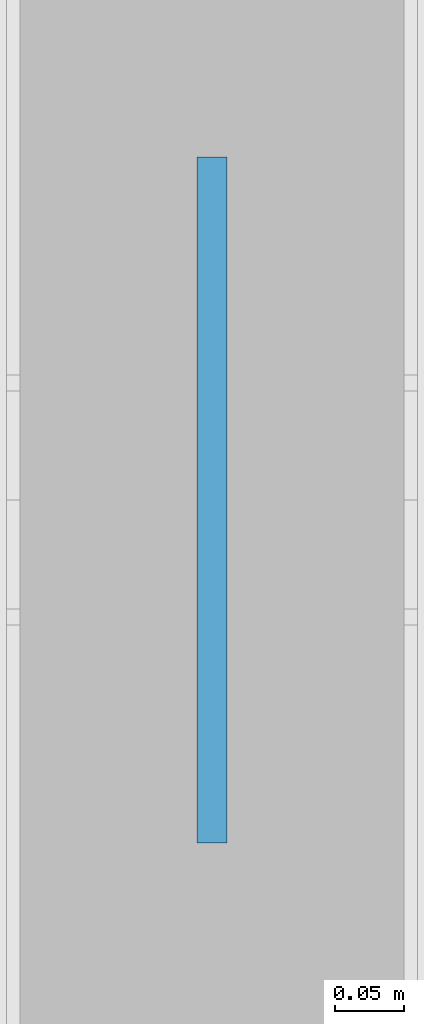
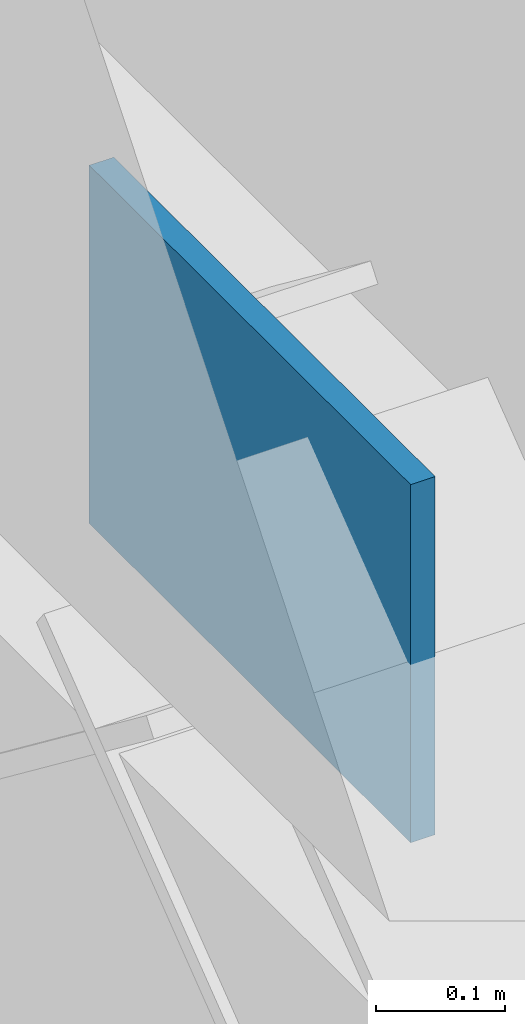
# One storey, part 58 of 82: 1 plate.
"""IFC4 building model written with IfcOpenShell, lengths in metres."""

from ifc_helpers import new_model, si_unit, direction, frame, origin, origin_2d, place, context, subcontext, project, spatial, rectangle, extrude, material, layer, layer_set, type_object, element, save


model = new_model("IFC4")

# Units and contexts
model_context = context("Model", 3, precision=1e-05, world=origin(), true_north=direction((0.0, 1.0)))
body_context = subcontext(model_context, "Body", "Model", "MODEL_VIEW")
ifc_project = project(units=[si_unit("LENGTHUNIT", "METRE"), si_unit("AREAUNIT", "SQUARE_METRE"), si_unit("VOLUMEUNIT", "CUBIC_METRE"), si_unit("PLANEANGLEUNIT", "RADIAN"), si_unit("MASSUNIT", "GRAM", prefix="KILO")], contexts=[model_context])

# Site, building, storey
site_placement = place(None, origin())
site = spatial("IfcSite", under=ifc_project, at=site_placement, CompositionType="ELEMENT")
building_placement = place(site_placement, origin())
building = spatial("IfcBuilding", under=site, at=building_placement, Name="Qasida Concert Hall", CompositionType="ELEMENT")
storey_placement = place(building_placement, frame((0.0, 0.0, 17.10009765625)))
storey = spatial("IfcBuildingStorey", under=building, at=storey_placement, Name="L04", CompositionType="ELEMENT", Elevation=17.10009765625)

# Plate
ifc_material = material(Name="Steel S355J2", Category="steel")
ifc_layer = layer(ifc_material, 0.02197265625, Name="Steel S355J2")
ifc_layer_set = layer_set([ifc_layer], Name="Steel S355J2")
plate_type = type_object("IfcPlateType", Name="PLT-PL-EC5", PredefinedType="SHEET", material=ifc_layer_set)
plate_placement = place(storey_placement, frame((105.0, 71.25, 2.69970703125), z_axis=(0.0, 0.0, 1.0), x_axis=(0.0, 1.0, 0.0)))
element("IfcPlate", 1, at=plate_placement, inside=storey, type_object=plate_type, Name="Chevron apex plate CBF-0081", PredefinedType="SHEET", context=body_context, shape_type="SweptSolid", body=[
    extrude(rectangle(XDim=0.5, YDim=0.02197265625, at=origin_2d()), origin(), (0.0, 0.0, 1.0), 0.340087890625),
])

save(model, "model.ifc")
